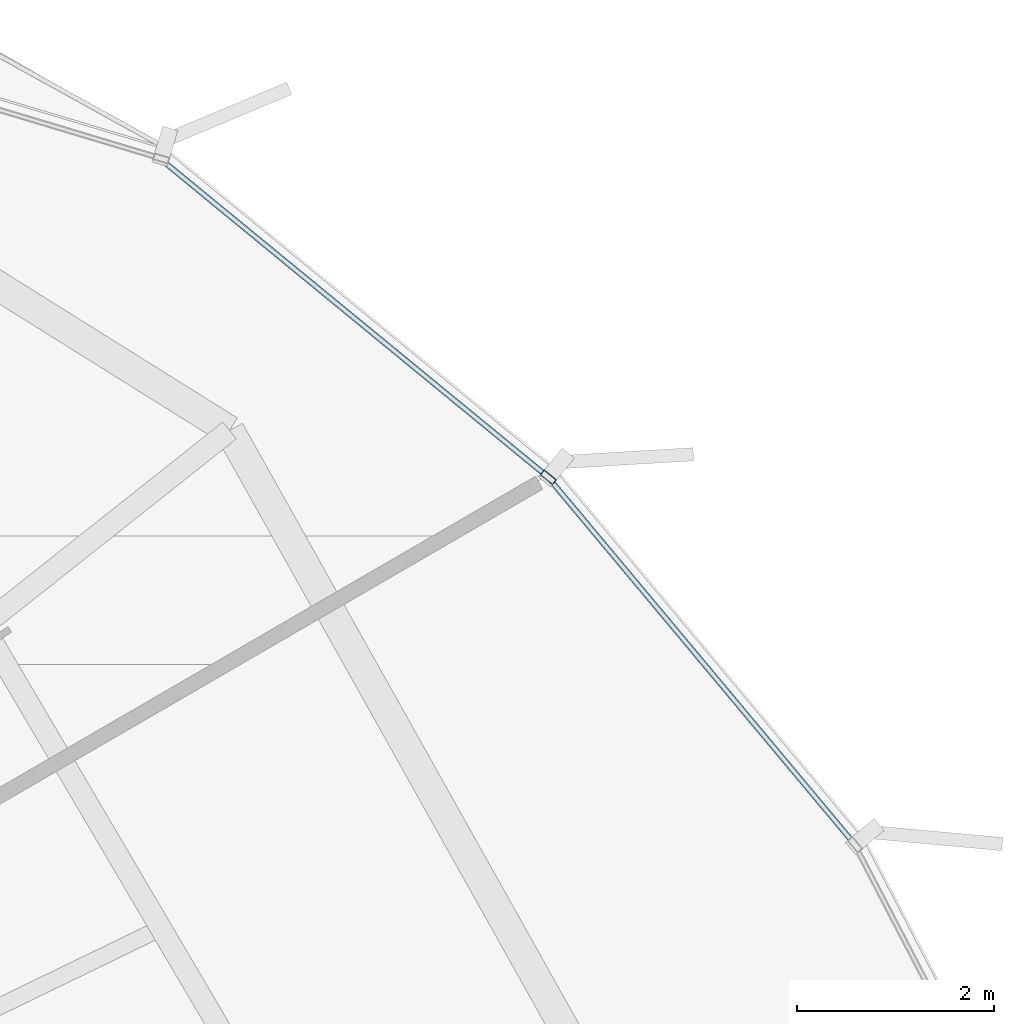
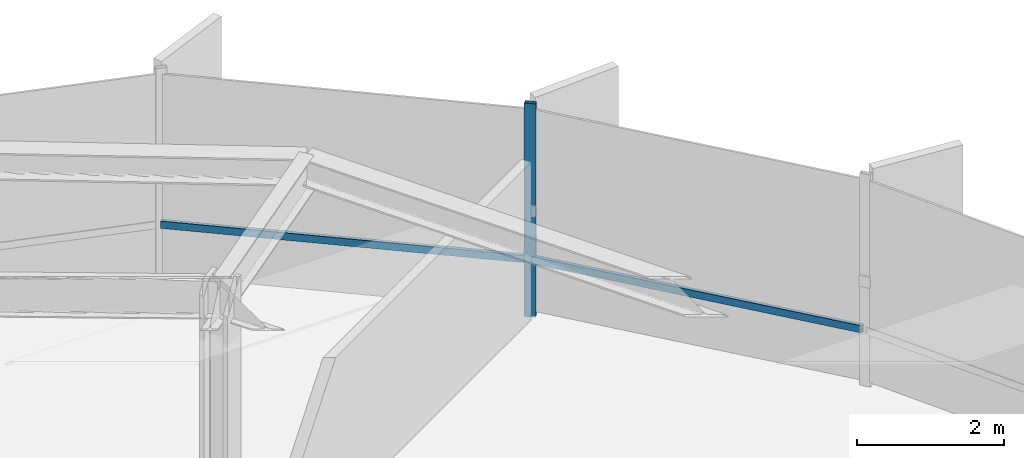
# One storey, part 26 of 37: 3 members, 1 element without a shape of its own.
"""IFC4 building model written with IfcOpenShell, lengths in metres."""

from ifc_helpers import new_model, si_unit, direction, frame, origin, origin_2d, place, context, subcontext, project, spatial, hollow_rectangle, extrude, source, transform, mapped, material, layer, layer_set, material_profile, profile_set, type_object, element, aggregate, save


model = new_model("IFC4")

# Units and contexts
model_context = context("Model", 3, precision=1e-05, world=origin(), true_north=direction((0.0, 1.0)))
body_context = subcontext(model_context, "Body", "Model", "MODEL_VIEW")
ifc_project = project(units=[si_unit("LENGTHUNIT", "METRE"), si_unit("AREAUNIT", "SQUARE_METRE"), si_unit("VOLUMEUNIT", "CUBIC_METRE"), si_unit("PLANEANGLEUNIT", "RADIAN"), si_unit("MASSUNIT", "GRAM", prefix="KILO"), si_unit("THERMODYNAMICTEMPERATUREUNIT", "KELVIN")], contexts=[model_context])

# Site, building, storey
site_placement = place(None, origin())
site = spatial("IfcSite", under=ifc_project, at=site_placement, CompositionType="ELEMENT")
building_placement = place(site_placement, origin())
building = spatial("IfcBuilding", under=site, at=building_placement, Name="Kethvar Cultural Tower", CompositionType="ELEMENT")
storey_placement = place(building_placement, frame((0.0, 0.0, 56.199951171875)))
storey = spatial("IfcBuildingStorey", under=building, at=storey_placement, Name="L13", CompositionType="ELEMENT", Elevation=56.199951171875)

# Curtain wall, members
ifc_material = material(Name="Aluminium 6063-T6", Category="aluminium")
ifc_layer = layer(ifc_material, 0.179931640625, Name="Aluminium 6063-T6", Category="aluminium")
ifc_layer_set = layer_set([ifc_layer], Name="Aluminium 6063-T6 (180 mm)")
curtain_wall_type = type_object("IfcCurtainWallType", Name="CW-SYS-02-Z1", PredefinedType="NOTDEFINED", material=ifc_layer_set)
curtain_wall_placement = place(storey_placement, origin())
curtain_wall = element("IfcCurtainWall", 1, at=curtain_wall_placement, inside=storey, type_object=curtain_wall_type, Name="L13 Curtain Wall Run 01", PredefinedType="NOTDEFINED")
ifc_material_profile_1 = material_profile(ifc_material, hollow_rectangle(XDim=0.06494140625, YDim=0.159912109375, WallThickness=0.0048828125, at=origin_2d()), Name="Aluminium 6063-T6 — RHS160x65x5")
ifc_profile_set_1 = profile_set([ifc_material_profile_1], Name="Aluminium 6063-T6 — RHS160x65x5")
member_type_1 = type_object("IfcMemberType", Name="CW-SYS-02-Z1-MUL", PredefinedType="MULLION", material=ifc_profile_set_1)
shared_shape_1 = source(origin(), body_context, "Body", "SweptSolid", [
    extrude(hollow_rectangle(XDim=0.06494140625, YDim=0.159912109375, WallThickness=0.0048828125, at=origin_2d()), origin(), (0.0, 0.0, 1.0), 3.550048828125),
])
member_1_placement = place(storey_placement, frame((74.087646484375, 43.70068359375, 0.0), z_axis=(0.0, 0.0, 1.0), x_axis=(-0.634366300622, -0.773032597395, 0.0)))
member_1 = element("IfcMember", 2, at=member_1_placement, type_object=member_type_1, Name="CW-L13-R01 Mullion 4", PredefinedType="MULLION", context=body_context, shape_type="MappedRepresentation", body=[
    mapped(shared_shape_1, transform((0.0, 0.0, 0.0), scale=1.0)),
])
ifc_material_profile_2 = material_profile(ifc_material, hollow_rectangle(XDim=0.054931640625, YDim=0.1201171875, WallThickness=0.00390625, at=origin_2d()), Name="Aluminium 6063-T6 — RHS120x55x4")
ifc_profile_set_2 = profile_set([ifc_material_profile_2], Name="Aluminium 6063-T6 — RHS120x55x4")
member_type_2 = type_object("IfcMemberType", Name="CW-SYS-02-Z1-TRN", PredefinedType="USERDEFINED", material=ifc_profile_set_2)
shared_shape_2 = source(origin(), body_context, "Body", "SweptSolid", [
    extrude(hollow_rectangle(XDim=0.054931640625, YDim=0.1201171875, WallThickness=0.00390625, at=origin_2d()), origin(), (0.0, 0.0, 1.0), 4.79638671875),
])
member_2_placement = place(storey_placement, frame((77.177001953125, 40.0, 0.949951171875), z_axis=(-0.64119518194, 0.76737783305, 0.0), x_axis=(-0.76737783305, -0.64119518194, 0.0)))
member_2 = element("IfcMember", 3, at=member_2_placement, type_object=member_type_2, Name="CW-L13-R01 Transom 3", ObjectType="TRANSOM", PredefinedType="USERDEFINED", context=body_context, shape_type="MappedRepresentation", body=[
    mapped(shared_shape_2, transform((0.0, 0.0, 0.0), scale=1.0)),
])
shared_shape_3 = source(origin(), body_context, "Body", "SweptSolid", [
    extrude(hollow_rectangle(XDim=0.054931640625, YDim=0.1201171875, WallThickness=0.00390625, at=origin_2d()), origin(), (0.0, 0.0, 1.0), 5.053955078125),
])
member_3_placement = place(storey_placement, frame((74.051513671875, 43.73046875, 0.949951171875), z_axis=(-0.773041785527, 0.634355103889, 0.0), x_axis=(-0.634355103889, -0.773041785527, 0.0)))
member_3 = element("IfcMember", 4, at=member_3_placement, type_object=member_type_2, Name="CW-L13-R01 Transom 4", ObjectType="TRANSOM", PredefinedType="USERDEFINED", context=body_context, shape_type="MappedRepresentation", body=[
    mapped(shared_shape_3, transform((0.0, 0.0, 0.0), scale=1.0)),
])
aggregate(curtain_wall, [member_1, member_2, member_3])

save(model, "model.ifc")
